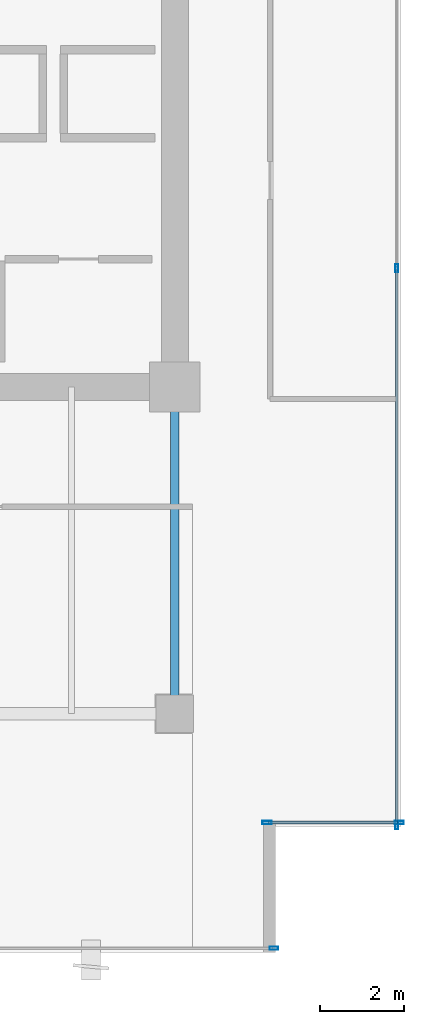
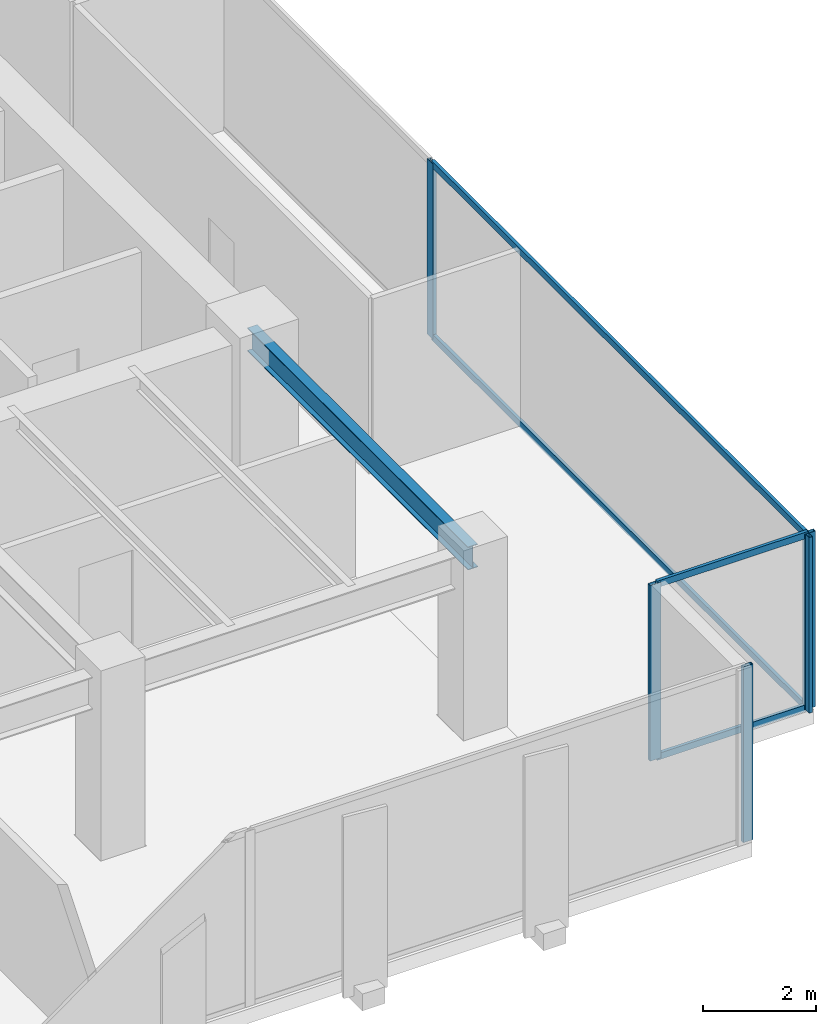
# One storey, part 21 of 34: 9 members, 1 beam, 3 elements without a shape of their own.
"""IFC4 building model written with IfcOpenShell, lengths in metres."""

from ifc_helpers import new_model, si_unit, direction, frame, origin, origin_2d, place, context, subcontext, project, spatial, hollow_rectangle, i_section, extrude, source, transform, mapped, material, layer, layer_set, material_profile, profile_set, type_object, type_shapes, element, aggregate, save


model = new_model("IFC4")

# Units and contexts
model_context = context("Model", 3, precision=1e-05, world=origin(), true_north=direction((0.0, 1.0)))
body_context = subcontext(model_context, "Body", "Model", "MODEL_VIEW")
ifc_project = project(units=[si_unit("LENGTHUNIT", "METRE"), si_unit("AREAUNIT", "SQUARE_METRE"), si_unit("VOLUMEUNIT", "CUBIC_METRE"), si_unit("PLANEANGLEUNIT", "RADIAN"), si_unit("MASSUNIT", "GRAM", prefix="KILO")], contexts=[model_context])

# Site, building, storey
site_placement = place(None, origin())
site = spatial("IfcSite", under=ifc_project, at=site_placement, CompositionType="ELEMENT")
building_placement = place(site_placement, origin())
building = spatial("IfcBuilding", under=site, at=building_placement, Name="Haelvirn Gate Laboratories", CompositionType="ELEMENT")
storey_placement = place(building_placement, frame((0.0, 0.0, 109.199951171875)))
storey = spatial("IfcBuildingStorey", under=building, at=storey_placement, Name="L26", CompositionType="ELEMENT", Elevation=109.199951171875)

# Beam
ifc_material_1 = material(Name="Steel SM355", Category="steel")
ifc_material_profile_1 = material_profile(ifc_material_1, i_section(OverallWidth=0.199951171875, OverallDepth=0.5, WebThickness=0.010009765625, FlangeThickness=0.01611328125, at=origin_2d()), Name="H-500x200x10x16")
ifc_profile_set_1 = profile_set([ifc_material_profile_1], Name="Steel SM355")
beam_type = type_object("IfcBeamType", Name="BM-SP-500", PredefinedType="SPANDREL", material=ifc_profile_set_1)
shared_shape_1 = source(origin(), body_context, "Body", "SweptSolid", [
    extrude(i_section(OverallWidth=0.199951171875, OverallDepth=0.5, WebThickness=0.010009765625, FlangeThickness=0.01611328125, at=origin_2d()), origin(), (0.0, 0.0, 1.0), 7.800048828125),
])
type_shapes(beam_type, [shared_shape_1])
beam_placement = place(storey_placement, frame((67.39990234375, 7.0, 3.5400390625), z_axis=(0.0, 1.0, 0.0), x_axis=(-1.0, 0.0, 0.0)))
element("IfcBeam", 1, at=beam_placement, inside=storey, type_object=beam_type, Name="L26 Perimeter Spandrel X67.4 (7.0-14.8)", PredefinedType="SPANDREL", context=body_context, shape_type="MappedRepresentation", body=[
    mapped(shared_shape_1, transform((0.0, 0.0, 0.0), scale=1.0)),
])

# Curtain wall, members
ifc_material_2 = material(Name="Anodised bronze unitised aluminium & triple low-E glass", Category="aluminium")
ifc_layer_1 = layer(ifc_material_2, 0.181884765625, Name="CW-SYS-5")
ifc_layer_set_1 = layer_set([ifc_layer_1], Name="Anodised bronze unitised aluminium & triple low-E glass")
curtain_wall_type_1 = type_object("IfcCurtainWallType", Name="CW-SYS-5", PredefinedType="NOTDEFINED", material=ifc_layer_set_1)
curtain_wall_1_placement = place(storey_placement, origin())
curtain_wall_1 = element("IfcCurtainWall", 2, at=curtain_wall_1_placement, inside=storey, type_object=curtain_wall_type_1, Name="L26 Unitised Curtain Wall CW-L26-P0-E06-1", PredefinedType="NOTDEFINED")
ifc_material_3 = material(Name="Extruded aluminium 6063-T6 (anodised bronze)", Category="aluminium")
ifc_material_profile_2 = material_profile(ifc_material_3, hollow_rectangle(XDim=0.06494140625, YDim=0.139892578125, WallThickness=0.00390625, at=origin_2d()), Name="CWT-140x65x4")
ifc_profile_set_2 = profile_set([ifc_material_profile_2], Name="Extruded aluminium 6063-T6 (anodised bronze)")
member_type_1 = type_object("IfcMemberType", Name="CWT-T140", PredefinedType="USERDEFINED", material=ifc_profile_set_2)
shared_shape_2 = source(origin(), body_context, "Body", "SweptSolid", [
    extrude(hollow_rectangle(XDim=0.06494140625, YDim=0.139892578125, WallThickness=0.00390625, at=origin_2d()), origin(), (0.0, 0.0, 1.0), 3.080078125),
])
member_1_placement = place(storey_placement, frame((69.639892578125, 4.39990234375, 0.032470703125), z_axis=(1.0, 0.0, 0.0), x_axis=(0.0, 1.0, 0.0)))
member_1 = element("IfcMember", 3, at=member_1_placement, type_object=member_type_1, Name="CW5 transom 1.1", ObjectType="TRANSOM", PredefinedType="USERDEFINED", context=body_context, shape_type="MappedRepresentation", body=[
    mapped(shared_shape_2, transform((0.0, 0.0, 0.0), scale=1.0)),
])
member_2_placement = place(storey_placement, frame((69.639892578125, 4.39990234375, 3.757568359375), z_axis=(1.0, 0.0, 0.0), x_axis=(0.0, 1.0, 0.0)))
member_2 = element("IfcMember", 4, at=member_2_placement, type_object=member_type_1, Name="CW5 transom 1.2", ObjectType="TRANSOM", PredefinedType="USERDEFINED", context=body_context, shape_type="MappedRepresentation", body=[
    mapped(shared_shape_2, transform((0.0, 0.0, 0.0), scale=1.0)),
])

ifc_layer_2 = layer(ifc_material_2, 0.179931640625, Name="CW-SYS-3")
ifc_layer_set_2 = layer_set([ifc_layer_2], Name="Anodised bronze unitised aluminium & triple low-E glass")
curtain_wall_type_2 = type_object("IfcCurtainWallType", Name="CW-SYS-3", PredefinedType="NOTDEFINED", material=ifc_layer_set_2)
curtain_wall_2_placement = place(storey_placement, origin())
curtain_wall_2 = element("IfcCurtainWall", 5, at=curtain_wall_2_placement, inside=storey, type_object=curtain_wall_type_2, Name="L26 Unitised Curtain Wall CW-L26-P0-E07", PredefinedType="NOTDEFINED")
shared_shape_3 = source(origin(), body_context, "Body", "SweptSolid", [
    extrude(hollow_rectangle(XDim=0.06494140625, YDim=0.139892578125, WallThickness=0.00390625, at=origin_2d()), origin(), (0.0, 0.0, 1.0), 13.220947265625),
])
type_shapes(member_type_1, [shared_shape_2, shared_shape_3])
member_3_placement = place(storey_placement, frame((72.699951171875, 4.375, 0.032470703125), z_axis=(0.0, 1.0, 0.0), x_axis=(-1.0, 0.0, 0.0)))
member_3 = element("IfcMember", 6, at=member_3_placement, type_object=member_type_1, Name="CW3 transom 1.1", ObjectType="TRANSOM", PredefinedType="USERDEFINED", context=body_context, shape_type="MappedRepresentation", body=[
    mapped(shared_shape_3, transform((0.0, 0.0, 0.0), scale=1.0)),
])
member_4_placement = place(storey_placement, frame((72.699951171875, 4.375, 3.757568359375), z_axis=(0.0, 1.0, 0.0), x_axis=(-1.0, 0.0, 0.0)))
member_4 = element("IfcMember", 7, at=member_4_placement, type_object=member_type_1, Name="CW3 transom 1.2", ObjectType="TRANSOM", PredefinedType="USERDEFINED", context=body_context, shape_type="MappedRepresentation", body=[
    mapped(shared_shape_3, transform((0.0, 0.0, 0.0), scale=1.0)),
])

# Curtain wall, member
curtain_wall_3_placement = place(storey_placement, origin())
curtain_wall_3 = element("IfcCurtainWall", 8, at=curtain_wall_3_placement, inside=storey, type_object=curtain_wall_type_2, Name="L26 Unitised Curtain Wall CW-L26-P0-E04-1", PredefinedType="NOTDEFINED")
ifc_material_profile_3 = material_profile(ifc_material_3, hollow_rectangle(XDim=0.074951171875, YDim=0.199951171875, WallThickness=0.0048828125, at=origin_2d()), Name="CWM-200x75x5")
ifc_profile_set_3 = profile_set([ifc_material_profile_3], Name="Extruded aluminium 6063-T6 (anodised bronze)")
member_type_2 = type_object("IfcMemberType", Name="CWM-T200", PredefinedType="MULLION", material=ifc_profile_set_3)
shared_shape_4 = source(origin(), body_context, "Body", "SweptSolid", [
    extrude(hollow_rectangle(XDim=0.074951171875, YDim=0.199951171875, WallThickness=0.0048828125, at=origin_2d()), origin(), (0.0, 0.0, 1.0), 3.7900390625),
])
type_shapes(member_type_2, [shared_shape_4])
member_5_placement = place(storey_placement, frame((69.762451171875, 1.39990234375, 0.0), z_axis=(0.0, 0.0, 1.0), x_axis=(0.0, 1.0, 0.0)))
member_5 = element("IfcMember", 9, at=member_5_placement, type_object=member_type_2, Name="CW3 mullion 3", PredefinedType="MULLION", context=body_context, shape_type="MappedRepresentation", body=[
    mapped(shared_shape_4, transform((0.0, 0.0, 0.0), scale=1.0)),
])
aggregate(curtain_wall_3, [member_5])

# Member
member_6_placement = place(storey_placement, frame((72.699951171875, 4.33740234375, 0.0), z_axis=(0.0, 0.0, 1.0), x_axis=(-1.0, 0.0, 0.0)))
member_6 = element("IfcMember", 10, at=member_6_placement, type_object=member_type_2, Name="CW3 mullion 1", PredefinedType="MULLION", context=body_context, shape_type="MappedRepresentation", body=[
    mapped(shared_shape_4, transform((0.0, 0.0, 0.0), scale=1.0)),
])

member_7_placement = place(storey_placement, frame((72.699951171875, 17.63330078125, 0.0), z_axis=(0.0, 0.0, 1.0), x_axis=(-1.0, 0.0, 0.0)))
member_7 = element("IfcMember", 11, at=member_7_placement, type_object=member_type_2, Name="CW3 mullion 2", PredefinedType="MULLION", context=body_context, shape_type="MappedRepresentation", body=[
    mapped(shared_shape_4, transform((0.0, 0.0, 0.0), scale=1.0)),
])

aggregate(curtain_wall_2, [member_6, member_7, member_3, member_4])

ifc_material_profile_4 = material_profile(ifc_material_3, hollow_rectangle(XDim=0.080078125, YDim=0.219970703125, WallThickness=0.006103515625, at=origin_2d()), Name="CWM-220x80x6")
ifc_profile_set_4 = profile_set([ifc_material_profile_4], Name="Extruded aluminium 6063-T6 (anodised bronze)")
member_type_3 = type_object("IfcMemberType", Name="CWM-T220", PredefinedType="MULLION", material=ifc_profile_set_4)
shared_shape_5 = source(origin(), body_context, "Body", "SweptSolid", [
    extrude(hollow_rectangle(XDim=0.080078125, YDim=0.219970703125, WallThickness=0.006103515625, at=origin_2d()), origin(), (0.0, 0.0, 1.0), 3.7900390625),
])
type_shapes(member_type_3, [shared_shape_5])
member_8_placement = place(storey_placement, frame((69.60009765625, 4.39990234375, 0.0), z_axis=(0.0, 0.0, 1.0), x_axis=(0.0, 1.0, 0.0)))
member_8 = element("IfcMember", 12, at=member_8_placement, type_object=member_type_3, Name="CW5 mullion 1", PredefinedType="MULLION", context=body_context, shape_type="MappedRepresentation", body=[
    mapped(shared_shape_5, transform((0.0, 0.0, 0.0), scale=1.0)),
])

member_9_placement = place(storey_placement, frame((72.760009765625, 4.39990234375, 0.0), z_axis=(0.0, 0.0, 1.0), x_axis=(0.0, 1.0, 0.0)))
member_9 = element("IfcMember", 13, at=member_9_placement, type_object=member_type_3, Name="CW5 mullion 2", PredefinedType="MULLION", context=body_context, shape_type="MappedRepresentation", body=[
    mapped(shared_shape_5, transform((0.0, 0.0, 0.0), scale=1.0)),
])

aggregate(curtain_wall_1, [member_8, member_9, member_1, member_2])

save(model, "model.ifc")
